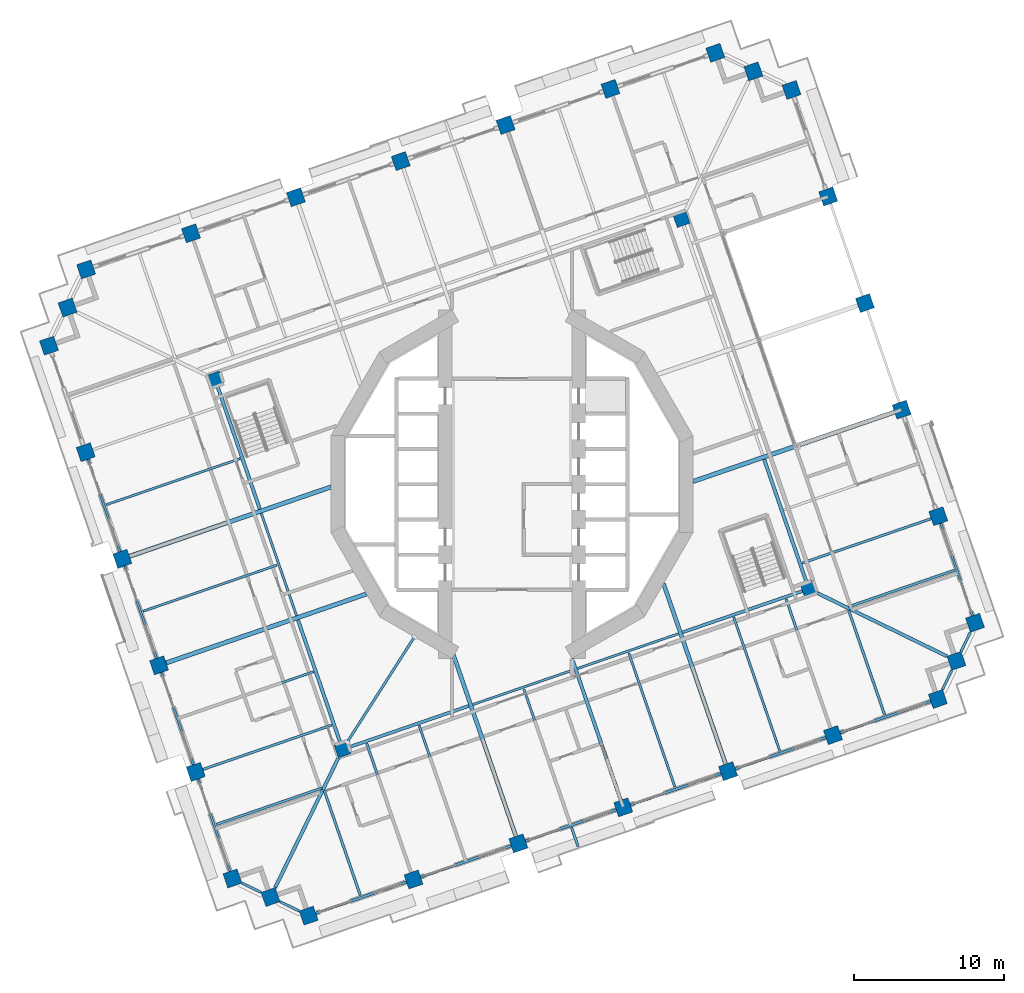
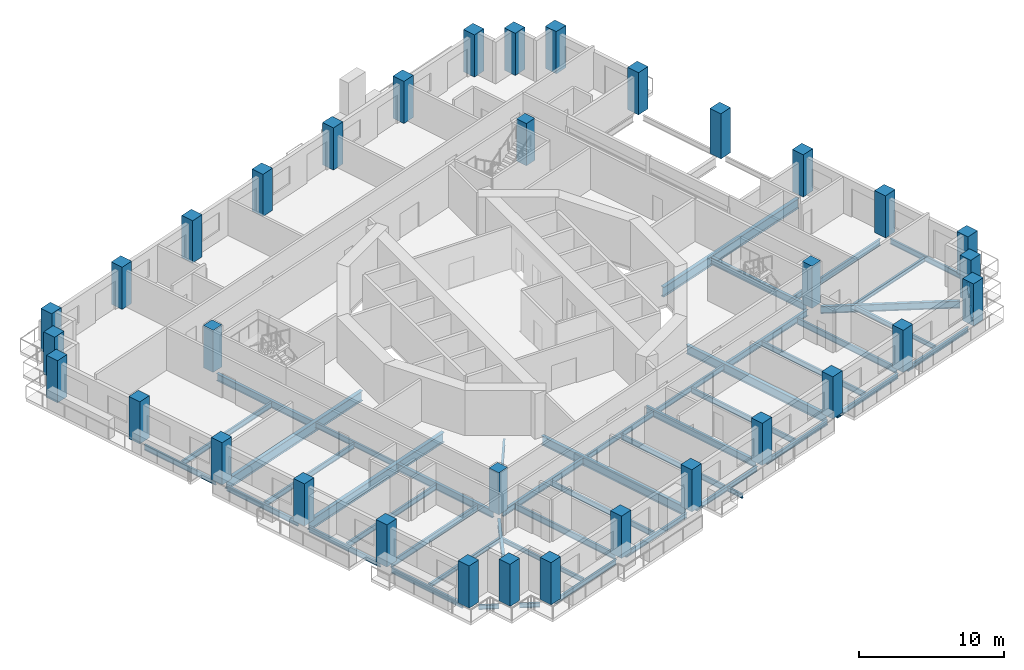
# One storey, part 1 of 19: 48 beams, 34 columns.
"""IFC4 building model written with IfcOpenShell, lengths in metres."""

from ifc_helpers import new_model, si_unit, direction, frame, origin, origin_2d, place, context, subcontext, project, spatial, rectangle, i_section, extrude, material, material_profile, profile_set, type_object, element, save


model = new_model("IFC4")

# Units and contexts
model_context = context("Model", 3, precision=1e-05, world=origin(), true_north=direction((0.0, 1.0)))
body_context = subcontext(model_context, "Body", "Model", "MODEL_VIEW")
ifc_project = project(units=[si_unit("LENGTHUNIT", "METRE"), si_unit("AREAUNIT", "SQUARE_METRE"), si_unit("VOLUMEUNIT", "CUBIC_METRE"), si_unit("PLANEANGLEUNIT", "RADIAN"), si_unit("MASSUNIT", "GRAM", prefix="KILO")], contexts=[model_context])

# Site, building, storey
site_placement = place(None, origin())
site = spatial("IfcSite", under=ifc_project, at=site_placement, CompositionType="ELEMENT")
building_placement = place(site_placement, origin())
building = spatial("IfcBuilding", under=site, at=building_placement, Name="Cantera Rosa Tower", CompositionType="ELEMENT")
storey_placement = place(building_placement, frame((0.0, 0.0, 126.89990234375)))
storey = spatial("IfcBuildingStorey", under=building, at=storey_placement, Name="L26", CompositionType="ELEMENT", Elevation=126.89990234375)

# Columns
ifc_material_1 = material(Name="Concrete C70/85", Category="concrete")
ifc_material_profile_1 = material_profile(ifc_material_1, rectangle(XDim=1.0, YDim=1.0, at=origin_2d()), Name="RC COLUMN RC1000X1000 C70/85")
ifc_profile_set_1 = profile_set([ifc_material_profile_1], Name="Concrete C70/85")
column_type_1 = type_object("IfcColumnType", Name="RC COLUMN RC1000X1000 C70/85", PredefinedType="COLUMN", material=ifc_profile_set_1)
for number, where, z_axis, x_axis, name in (
    (1, (30.893310546875, -9.245849609375, 0.0), (0.0, 0.0, 1.0), (0.945518575599, 0.325568154457, 0.0), "C-Z2-01 L26"),
    (2, (28.445068359375, -2.135498046875, 0.0), (0.0, 0.0, 1.0), (0.945518575599, 0.325568154457, 0.0), "C-Z2-02 L26"),
    (3, (25.996826171875, 4.974853515625, 0.0), (0.0, 0.0, 1.0), (0.945518575599, 0.325568154457, 0.0), "C-Z2-03 L26"),
):
    element("IfcColumn", number, at=place(storey_placement, frame(where, z_axis=z_axis, x_axis=x_axis)), inside=storey, type_object=column_type_1, Name=name, PredefinedType="COLUMN", context=body_context, shape_type="SweptSolid", body=[
        extrude(rectangle(XDim=1.0, YDim=1.0, at=origin_2d()), origin(), (0.0, 0.0, 1.0), 3.550048828125),
    ])
column_placement = place(storey_placement, frame((23.54833984375, 12.0849609375, -0.25), z_axis=(0.0, 0.0, 1.0), x_axis=(0.945518575599, 0.325568154457, 0.0)))
element("IfcColumn", 4, at=column_placement, inside=storey, type_object=column_type_1, Name="C-Z2-04 L26", PredefinedType="COLUMN", context=body_context, shape_type="SweptSolid", body=[
    extrude(rectangle(XDim=1.0, YDim=1.0, at=origin_2d()), origin(), (0.0, 0.0, 1.0), 3.800048828125),
])
for number, where, z_axis, x_axis, name in (
    (5, (21.10009765625, 19.1953125, 0.0), (0.0, 0.0, 1.0), (0.945518575599, 0.325568154457, 0.0), "C-Z2-05 L26"),
    (6, (18.65185546875, 26.3056640625, 0.0), (0.0, 0.0, 1.0), (0.945518575599, 0.325568154457, 0.0), "C-Z2-06 L26"),
    (7, (16.109619140625, 27.545654296875, 0.0), (0.0, 0.0, 1.0), (0.945518575599, 0.325568154457, 0.0), "C-Z2-07 L26"),
    (8, (13.567626953125, 28.785400390625, 0.0), (0.0, 0.0, 1.0), (0.945518575599, 0.325568154457, 0.0), "C-Z2-08 L26"),
    (9, (6.57080078125, 26.376220703125, 0.0), (0.0, 0.0, 1.0), (0.945518575599, 0.325568154457, 0.0), "C-Z2-09 L26"),
    (10, (-0.426025390625, 23.967041015625, 0.0), (0.0, 0.0, 1.0), (0.945518575599, 0.325568154457, 0.0), "C-Z2-10 L26"),
    (11, (-7.4228515625, 21.557861328125, 0.0), (0.0, 0.0, 1.0), (0.945518575599, 0.325568154457, 0.0), "C-Z2-11 L26"),
    (12, (-14.419677734375, 19.148681640625, 0.0), (0.0, 0.0, 1.0), (0.945518575599, 0.325568154457, 0.0), "C-Z2-12 L26"),
    (13, (-21.416748046875, 16.739501953125, 0.0), (0.0, 0.0, 1.0), (0.945518575599, 0.325568154457, 0.0), "C-Z2-13 L26"),
    (14, (-28.41357421875, 14.330322265625, 0.0), (0.0, 0.0, 1.0), (0.945518575599, 0.325568154457, 0.0), "C-Z2-14 L26"),
    (15, (-29.6533203125, 11.7880859375, 0.0), (0.0, 0.0, 1.0), (0.945518575599, 0.325568154457, 0.0), "C-Z2-15 L26"),
    (16, (-30.893310546875, 9.245849609375, 0.0), (0.0, 0.0, 1.0), (0.945518575599, 0.325568154457, 0.0), "C-Z2-16 L26"),
    (17, (-28.445068359375, 2.135498046875, 0.0), (0.0, 0.0, 1.0), (0.945518575599, 0.325568154457, 0.0), "C-Z2-17 L26"),
    (18, (-25.996826171875, -4.974853515625, 0.0), (0.0, 0.0, 1.0), (0.945518575599, 0.325568154457, 0.0), "C-Z2-18 L26"),
    (19, (-23.54833984375, -12.0849609375, 0.0), (0.0, 0.0, 1.0), (0.945518575599, 0.325568154457, 0.0), "C-Z2-19 L26"),
    (20, (-21.10009765625, -19.1953125, 0.0), (0.0, 0.0, 1.0), (0.945518575599, 0.325568154457, 0.0), "C-Z2-20 L26"),
    (21, (-18.65185546875, -26.3056640625, 0.0), (0.0, 0.0, 1.0), (0.945518575599, 0.325568154457, 0.0), "C-Z2-21 L26"),
    (22, (-16.109619140625, -27.545654296875, 0.0), (0.0, 0.0, 1.0), (0.945518575599, 0.325568154457, 0.0), "C-Z2-22 L26"),
    (23, (-13.567626953125, -28.785400390625, 0.0), (0.0, 0.0, 1.0), (0.945518575599, 0.325568154457, 0.0), "C-Z2-23 L26"),
    (24, (-6.57080078125, -26.376220703125, 0.0), (0.0, 0.0, 1.0), (0.945518575599, 0.325568154457, 0.0), "C-Z2-24 L26"),
    (25, (0.426025390625, -23.967041015625, 0.0), (0.0, 0.0, 1.0), (0.945518575599, 0.325568154457, 0.0), "C-Z2-25 L26"),
    (26, (7.4228515625, -21.557861328125, 0.0), (0.0, 0.0, 1.0), (0.945518575599, 0.325568154457, 0.0), "C-Z2-26 L26"),
    (27, (14.419677734375, -19.148681640625, 0.0), (0.0, 0.0, 1.0), (0.945518575599, 0.325568154457, 0.0), "C-Z2-27 L26"),
    (28, (21.416748046875, -16.739501953125, 0.0), (0.0, 0.0, 1.0), (0.945518575599, 0.325568154457, 0.0), "C-Z2-28 L26"),
    (29, (28.41357421875, -14.330322265625, 0.0), (0.0, 0.0, 1.0), (0.945518575599, 0.325568154457, 0.0), "C-Z2-29 L26"),
    (30, (29.6533203125, -11.7880859375, 0.0), (0.0, 0.0, 1.0), (0.945518575599, 0.325568154457, 0.0), "C-Z2-30 L26"),
):
    element("IfcColumn", number, at=place(storey_placement, frame(where, z_axis=z_axis, x_axis=x_axis)), inside=storey, type_object=column_type_1, Name=name, PredefinedType="COLUMN", context=body_context, shape_type="SweptSolid", body=[
        extrude(rectangle(XDim=1.0, YDim=1.0, at=origin_2d()), origin(), (0.0, 0.0, 1.0), 3.550048828125),
    ])
ifc_material_2 = material(Name="Concrete C70/85", Category="concrete")
ifc_material_profile_2 = material_profile(ifc_material_2, rectangle(XDim=0.89990234375, YDim=0.89990234375, at=origin_2d()), Name="RC RING COLUMN RC900X900 C70/85")
ifc_profile_set_2 = profile_set([ifc_material_profile_2], Name="Concrete C70/85")
column_type_2 = type_object("IfcColumnType", Name="RC RING COLUMN RC900X900 C70/85", PredefinedType="COLUMN", material=ifc_profile_set_2)
for number, where, z_axis, x_axis, name in (
    (31, (11.30517578125, 17.694580078125, 0.0), (0.0, 0.0, 1.0), (0.945518575599, 0.325568154457, 0.0), "CI-Z2-1 L26"),
    (32, (-19.802490234375, 6.9833984375, 0.0), (0.0, 0.0, 1.0), (0.945518575599, 0.325568154457, 0.0), "CI-Z2-2 L26"),
    (33, (-11.30517578125, -17.694580078125, 0.0), (0.0, 0.0, 1.0), (0.945518575599, 0.325568154457, 0.0), "CI-Z2-3 L26"),
    (34, (19.802490234375, -6.9833984375, 0.0), (0.0, 0.0, 1.0), (0.945518575599, 0.325568154457, 0.0), "CI-Z2-4 L26"),
):
    element("IfcColumn", number, at=place(storey_placement, frame(where, z_axis=z_axis, x_axis=x_axis)), inside=storey, type_object=column_type_2, Name=name, PredefinedType="COLUMN", context=body_context, shape_type="SweptSolid", body=[
        extrude(rectangle(XDim=0.89990234375, YDim=0.89990234375, at=origin_2d()), origin(), (0.0, 0.0, 1.0), 3.550048828125),
    ])

# Beams
ifc_material_3 = material(Name="Steel ASTM A992 (Fy 345 MPa)", Category="steel")
ifc_material_profile_3 = material_profile(ifc_material_3, i_section(OverallWidth=0.154052734375, OverallDepth=0.4599609375, WebThickness=0.009033203125, FlangeThickness=0.015380859375, FilletRadius=0.01025390625, at=origin_2d()), Name="W460X68")
ifc_profile_set_3 = profile_set([ifc_material_profile_3], Name="Steel ASTM A992 (Fy 345 MPa)")
beam_type_1 = type_object("IfcBeamType", Name="STEEL BEAM W460X68", PredefinedType="BEAM", material=ifc_profile_set_3)
for number, where, z_axis, x_axis, name in (
    (35, (-2.6064453125, -14.699462890625, -0.47998046875), (0.9455219702, 0.325558295653, 0.0), (-0.325558295653, 0.9455219702, 0.0), "RB-Z2-06 L26"),
    (36, (4.390380859375, -12.290283203125, -0.47998046875), (0.9455219702, 0.325558295653, 0.0), (-0.325558295653, 0.9455219702, 0.0), "RB-Z2-07 L26"),
):
    element("IfcBeam", number, at=place(storey_placement, frame(where, z_axis=z_axis, x_axis=x_axis)), inside=storey, type_object=beam_type_1, Name=name, PredefinedType="BEAM", context=body_context, shape_type="SweptSolid", body=[
        extrude(i_section(OverallWidth=0.154052734375, OverallDepth=0.4599609375, WebThickness=0.009033203125, FlangeThickness=0.015380859375, FilletRadius=0.01025390625, at=origin_2d()), origin(), (0.0, 0.0, 1.0), 7.10009765625),
    ])
beam_1_placement = place(storey_placement, frame((-14.37841796875, -8.768798828125, -0.47998046875), z_axis=(-0.325575881702, 0.94551591486, 0.0), x_axis=(-0.94551591486, -0.325575881702, 0.0)))
element("IfcBeam", 37, at=beam_1_placement, inside=storey, type_object=beam_type_1, Name="RB-Z2-13 L26", PredefinedType="BEAM", context=body_context, shape_type="SweptSolid", body=[
    extrude(i_section(OverallWidth=0.154052734375, OverallDepth=0.4599609375, WebThickness=0.009033203125, FlangeThickness=0.015380859375, FilletRadius=0.01025390625, at=origin_2d()), origin(), (0.0, 0.0, 1.0), 7.2197265625),
])
ifc_material_4 = material(Name="Steel ASTM A992 (Fy 345 MPa)", Category="steel")
ifc_material_profile_4 = material_profile(ifc_material_4, i_section(OverallWidth=0.166015625, OverallDepth=0.528076171875, WebThickness=0.009765625, FlangeThickness=0.013671875, FilletRadius=0.0126953125, at=origin_2d()), Name="W530X74")
ifc_profile_set_4 = profile_set([ifc_material_profile_4], Name="Steel ASTM A992 (Fy 345 MPa)")
beam_type_2 = type_object("IfcBeamType", Name="STEEL BEAM W530X74", PredefinedType="BEAM", material=ifc_profile_set_4)
for number, where, z_axis, x_axis, name in (
    (38, (27.97216796875, -2.29833984375, -0.513916015625), (-0.94551971591, -0.325564842737, 0.0), (0.325564842737, -0.94551971591, 0.0), "G-Z2-01 L26"),
    (39, (-6.7333984375, -25.903564453125, -0.513916015625), (-0.325588827377, 0.945511457089, 0.0), (-0.945511457089, -0.325588827377, 0.0), "G-Z2-10 L26"),
    (40, (21.25390625, -16.2666015625, -0.513916015625), (-0.325564842737, 0.94551971591, 0.0), (-0.94551971591, -0.325564842737, 0.0), "G-Z2-14 L26"),
    (41, (-20.62744140625, -19.032470703125, -0.513916015625), (0.94551971591, 0.325564842737, 0.0), (-0.325564842737, 0.94551971591, 0.0), "G-Z2-18 L26"),
):
    element("IfcBeam", number, at=place(storey_placement, frame(where, z_axis=z_axis, x_axis=x_axis)), inside=storey, type_object=beam_type_2, Name=name, PredefinedType="BEAM", context=body_context, shape_type="SweptSolid", body=[
        extrude(i_section(OverallWidth=0.166015625, OverallDepth=0.528076171875, WebThickness=0.009765625, FlangeThickness=0.013671875, FilletRadius=0.0126953125, at=origin_2d()), origin(), (0.0, 0.0, 1.0), 9.10009765625),
    ])
beam_2_placement = place(storey_placement, frame((-10.995849609375, -17.21044921875, -0.513916015625), z_axis=(0.538396209095, 0.842691830999, 0.0), x_axis=(-0.842691830999, 0.538396209095, 0.0)))
element("IfcBeam", 42, at=beam_2_placement, inside=storey, type_object=beam_type_2, Name="PG-Z2-01 L26", PredefinedType="BEAM", context=body_context, shape_type="SweptSolid", body=[
    extrude(i_section(OverallWidth=0.166015625, OverallDepth=0.528076171875, WebThickness=0.009765625, FlangeThickness=0.013671875, FilletRadius=0.0126953125, at=origin_2d()), origin(), (0.0, 0.0, 1.0), 8.3369140625),
])
ifc_material_5 = material(Name="Steel ASTM A992 (Fy 345 MPa)", Category="steel")
ifc_material_profile_5 = material_profile(ifc_material_5, i_section(OverallWidth=0.208984375, OverallDepth=0.532958984375, WebThickness=0.01025390625, FlangeThickness=0.015625, FilletRadius=0.0126953125, at=origin_2d()), Name="W530X92")
ifc_profile_set_5 = profile_set([ifc_material_profile_5], Name="Steel ASTM A992 (Fy 345 MPa)")
beam_type_3 = type_object("IfcBeamType", Name="STEEL BEAM W530X92", PredefinedType="BEAM", material=ifc_profile_set_5)
beam_3_placement = place(storey_placement, frame((-10.879638671875, -17.548095703125, -0.516357421875), z_axis=(0.945522715377, 0.325556131421, 0.0), x_axis=(-0.325556131421, 0.945522715377, 0.0)))
element("IfcBeam", 43, at=beam_3_placement, inside=storey, type_object=beam_type_3, Name="RB-Z2-05 L26", PredefinedType="BEAM", context=body_context, shape_type="SweptSolid", body=[
    extrude(i_section(OverallWidth=0.208984375, OverallDepth=0.532958984375, WebThickness=0.01025390625, FlangeThickness=0.015625, FilletRadius=0.0126953125, at=origin_2d()), origin(), (0.0, 0.0, 1.0), 8.4501953125),
])
beam_4_placement = place(storey_placement, frame((11.387451171875, -9.880859375, -0.516357421875), z_axis=(0.945519653071, 0.325565025235, 0.0), x_axis=(-0.325565025235, 0.945519653071, 0.0)))
element("IfcBeam", 44, at=beam_4_placement, inside=storey, type_object=beam_type_3, Name="RB-Z2-08 L26", PredefinedType="BEAM", context=body_context, shape_type="SweptSolid", body=[
    extrude(i_section(OverallWidth=0.208984375, OverallDepth=0.532958984375, WebThickness=0.01025390625, FlangeThickness=0.015625, FilletRadius=0.0126953125, at=origin_2d()), origin(), (0.0, 0.0, 1.0), 8.449951171875),
])
ifc_material_6 = material(Name="Steel ASTM A992 (Fy 345 MPa)", Category="steel")
ifc_material_profile_6 = material_profile(ifc_material_6, i_section(OverallWidth=0.22802734375, OverallDepth=0.60205078125, WebThickness=0.010498046875, FlangeThickness=0.014892578125, FilletRadius=0.0126953125, at=origin_2d()), Name="W610X101")
ifc_profile_set_6 = profile_set([ifc_material_profile_6], Name="Steel ASTM A992 (Fy 345 MPa)")
beam_type_4 = type_object("IfcBeamType", Name="STEEL BEAM W610X101", PredefinedType="BEAM", material=ifc_profile_set_6)
beam_5_placement = place(storey_placement, frame((-15.7998046875, -26.909912109375, -0.55078125), z_axis=(0.438387618569, 0.898786012288, 0.0), x_axis=(-0.898786012288, 0.438387618569, 0.0)))
element("IfcBeam", 45, at=beam_5_placement, inside=storey, type_object=beam_type_4, Name="CB-Z2-03 L26", PredefinedType="BEAM", context=body_context, shape_type="SweptSolid", body=[
    extrude(i_section(OverallWidth=0.22802734375, OverallDepth=0.60205078125, WebThickness=0.010498046875, FlangeThickness=0.014892578125, FilletRadius=0.0126953125, at=origin_2d()), origin(), (0.0, 0.0, 1.0), 9.61669921875),
])
beam_6_placement = place(storey_placement, frame((29.017822265625, -11.47802734375, -0.55078125), z_axis=(-0.898796015179, 0.438367109965, 0.0), x_axis=(-0.438367109965, -0.898796015179, 0.0)))
element("IfcBeam", 46, at=beam_6_placement, inside=storey, type_object=beam_type_4, Name="CB-Z2-04 L26", PredefinedType="BEAM", context=body_context, shape_type="SweptSolid", body=[
    extrude(i_section(OverallWidth=0.22802734375, OverallDepth=0.60205078125, WebThickness=0.010498046875, FlangeThickness=0.014892578125, FilletRadius=0.0126953125, at=origin_2d()), origin(), (0.0, 0.0, 1.0), 9.616455078125),
])
beam_7_placement = place(storey_placement, frame((7.26025390625, -21.0849609375, -0.55078125), z_axis=(-0.325587365823, 0.945511960377, 0.0), x_axis=(-0.945511960377, -0.325587365823, 0.0)))
element("IfcBeam", 47, at=beam_7_placement, inside=storey, type_object=beam_type_4, Name="G-Z2-12 L26", PredefinedType="BEAM", context=body_context, shape_type="SweptSolid", body=[
    extrude(i_section(OverallWidth=0.22802734375, OverallDepth=0.60205078125, WebThickness=0.010498046875, FlangeThickness=0.014892578125, FilletRadius=0.0126953125, at=origin_2d()), origin(), (0.0, 0.0, 1.0), 10.0),
])
for number, where, z_axis, x_axis, name in (
    (48, (19.656005859375, -6.557861328125, -0.55078125), (-0.325584584945, 0.945512917969, 0.0), (-0.945512917969, -0.325584584945, 0.0), "RB-Z2-09 L26"),
    (49, (-11.45166015625, -17.26904296875, -0.55078125), (-0.325559468466, 0.945521566381, 0.0), (-0.945521566381, -0.325559468466, 0.0), "RB-Z2-12 L26"),
    (50, (-16.82666015625, -1.65869140625, -0.55078125), (-0.325584584945, 0.945512917969, 0.0), (-0.945512917969, -0.325584584945, 0.0), "RB-Z2-14 L26"),
):
    element("IfcBeam", number, at=place(storey_placement, frame(where, z_axis=z_axis, x_axis=x_axis)), inside=storey, type_object=beam_type_4, Name=name, PredefinedType="BEAM", context=body_context, shape_type="SweptSolid", body=[
        extrude(i_section(OverallWidth=0.22802734375, OverallDepth=0.60205078125, WebThickness=0.010498046875, FlangeThickness=0.014892578125, FilletRadius=0.0126953125, at=origin_2d()), origin(), (0.0, 0.0, 1.0), 8.68994140625),
    ])
ifc_material_7 = material(Name="Steel ASTM A992 (Fy 345 MPa)", Category="steel")
ifc_material_profile_7 = material_profile(ifc_material_7, i_section(OverallWidth=0.26708984375, OverallDepth=0.75390625, WebThickness=0.01318359375, FlangeThickness=0.01708984375, FilletRadius=0.0166015625, at=origin_2d()), Name="W760X147")
ifc_profile_set_7 = profile_set([ifc_material_profile_7], Name="Steel ASTM A992 (Fy 345 MPa)")
beam_type_5 = type_object("IfcBeamType", Name="STEEL BEAM W760X147", PredefinedType="BEAM", material=ifc_profile_set_7)
beam_8_placement = place(storey_placement, frame((0.263427734375, -23.494384765625, -0.626953125), z_axis=(-0.325569500581, 0.945518112091, 0.0), x_axis=(-0.945518112091, -0.325569500581, 0.0)))
element("IfcBeam", 51, at=beam_8_placement, inside=storey, type_object=beam_type_5, Name="G-Z2-11 L26", PredefinedType="BEAM", context=body_context, shape_type="SweptSolid", body=[
    extrude(i_section(OverallWidth=0.26708984375, OverallDepth=0.75390625, WebThickness=0.01318359375, FlangeThickness=0.01708984375, FilletRadius=0.0166015625, at=origin_2d()), origin(), (0.0, 0.0, 1.0), 13.09521484375),
])
beam_9_placement = place(storey_placement, frame((14.257080078125, -18.67578125, -0.626953125), z_axis=(-0.325575880476, 0.945515915282, 0.0), x_axis=(-0.945515915282, -0.325575880476, 0.0)))
element("IfcBeam", 52, at=beam_9_placement, inside=storey, type_object=beam_type_5, Name="G-Z2-13 L26", PredefinedType="BEAM", context=body_context, shape_type="SweptSolid", body=[
    extrude(i_section(OverallWidth=0.26708984375, OverallDepth=0.75390625, WebThickness=0.01318359375, FlangeThickness=0.01708984375, FilletRadius=0.0166015625, at=origin_2d()), origin(), (0.0, 0.0, 1.0), 12.734375),
])
ifc_material_8 = material(Name="Steel ASTM A992 (Fy 345 MPa)", Category="steel")
ifc_material_profile_8 = material_profile(ifc_material_8, i_section(OverallWidth=0.2919921875, OverallDepth=0.8359375, WebThickness=0.013916015625, FlangeThickness=0.018798828125, FilletRadius=0.017822265625, at=origin_2d()), Name="W840X176")
ifc_profile_set_8 = profile_set([ifc_material_profile_8], Name="Steel ASTM A992 (Fy 345 MPa)")
beam_type_6 = type_object("IfcBeamType", Name="STEEL BEAM W840X176", PredefinedType="BEAM", material=ifc_profile_set_8)
for number, where, z_axis, x_axis, name in (
    (53, (25.52392578125, 4.81201171875, -0.66796875), (-0.945515154884, -0.325578088765, 0.0), (0.325578088765, -0.945515154884, 0.0), "G-Z2-02 L26"),
    (54, (-25.52392578125, -4.81201171875, -0.66796875), (0.945515154884, 0.325578088765, 0.0), (-0.325578088765, 0.945515154884, 0.0), "G-Z2-16 L26"),
):
    element("IfcBeam", number, at=place(storey_placement, frame(where, z_axis=z_axis, x_axis=x_axis)), inside=storey, type_object=beam_type_6, Name=name, PredefinedType="BEAM", context=body_context, shape_type="SweptSolid", body=[
        extrude(i_section(OverallWidth=0.2919921875, OverallDepth=0.8359375, WebThickness=0.013916015625, FlangeThickness=0.018798828125, FilletRadius=0.017822265625, at=origin_2d()), origin(), (0.0, 0.0, 1.0), 14.22509765625),
    ])
beam_10_placement = place(storey_placement, frame((-23.07568359375, -11.92236328125, -0.66796875), z_axis=(0.945516836256, 0.325573205833, 0.0), x_axis=(-0.325573205833, 0.945516836256, 0.0)))
element("IfcBeam", 55, at=beam_10_placement, inside=storey, type_object=beam_type_6, Name="G-Z2-17 L26", PredefinedType="BEAM", context=body_context, shape_type="SweptSolid", body=[
    extrude(i_section(OverallWidth=0.2919921875, OverallDepth=0.8359375, WebThickness=0.013916015625, FlangeThickness=0.018798828125, FilletRadius=0.017822265625, at=origin_2d()), origin(), (0.0, 0.0, 1.0), 14.130615234375),
])
ifc_material_9 = material(Name="Steel ASTM A992 (Fy 345 MPa)", Category="steel")
ifc_material_profile_9 = material_profile(ifc_material_9, i_section(OverallWidth=0.1708984375, OverallDepth=0.35595703125, WebThickness=0.00732421875, FlangeThickness=0.01171875, FilletRadius=0.010009765625, at=origin_2d()), Name="W360X51")
ifc_profile_set_9 = profile_set([ifc_material_profile_9], Name="Steel ASTM A992 (Fy 345 MPa)")
beam_type_7 = type_object("IfcBeamType", Name="STEEL JOIST W360X51", PredefinedType="JOIST", material=ifc_profile_set_9)
beam_11_placement = place(storey_placement, frame((29.52734375, -5.739501953125, -0.427978515625), z_axis=(-0.945521732807, -0.325558985116, 0.0), x_axis=(0.325558985116, -0.945521732807, 0.0)))
element("IfcBeam", 56, at=beam_11_placement, inside=storey, type_object=beam_type_7, Name="B-Z2-01 L26", PredefinedType="JOIST", context=body_context, shape_type="SweptSolid", body=[
    extrude(i_section(OverallWidth=0.1708984375, OverallDepth=0.35595703125, WebThickness=0.00732421875, FlangeThickness=0.01171875, FilletRadius=0.010009765625, at=origin_2d()), origin(), (0.0, 0.0, 1.0), 7.460205078125),
])
for number, where, z_axis, x_axis, name in (
    (57, (-10.117919921875, -27.43896484375, -0.427978515625), (-0.325565645331, 0.945519439557, 0.0), (-0.945519439557, -0.325565645331, 0.0), "B-Z2-12 L26"),
    (58, (24.8662109375, -15.39306640625, -0.427978515625), (-0.325565645331, 0.945519439557, 0.0), (-0.945519439557, -0.325565645331, 0.0), "B-Z2-17 L26"),
):
    element("IfcBeam", number, at=place(storey_placement, frame(where, z_axis=z_axis, x_axis=x_axis)), inside=storey, type_object=beam_type_7, Name=name, PredefinedType="JOIST", context=body_context, shape_type="SweptSolid", body=[
        extrude(i_section(OverallWidth=0.1708984375, OverallDepth=0.35595703125, WebThickness=0.00732421875, FlangeThickness=0.01171875, FilletRadius=0.010009765625, at=origin_2d()), origin(), (0.0, 0.0, 1.0), 7.39990234375),
    ])
beam_12_placement = place(storey_placement, frame((-19.734130859375, -22.70166015625, -0.427978515625), z_axis=(0.945518264054, 0.32556905925, 0.0), x_axis=(-0.32556905925, 0.945518264054, 0.0)))
element("IfcBeam", 59, at=beam_12_placement, inside=storey, type_object=beam_type_7, Name="B-Z2-22 L26", PredefinedType="JOIST", context=body_context, shape_type="SweptSolid", body=[
    extrude(i_section(OverallWidth=0.1708984375, OverallDepth=0.35595703125, WebThickness=0.00732421875, FlangeThickness=0.01171875, FilletRadius=0.010009765625, at=origin_2d()), origin(), (0.0, 0.0, 1.0), 7.4599609375),
])
beam_13_placement = place(storey_placement, frame((3.966796875, -22.88525390625, -0.427978515625), z_axis=(0.325633232833, -0.945496164812, 0.0), x_axis=(0.945496164812, 0.325633232833, 0.0)))
element("IfcBeam", 60, at=beam_13_placement, inside=storey, type_object=beam_type_7, Name="BS-Z2-15 L26", PredefinedType="JOIST", context=body_context, shape_type="SweptSolid", body=[
    extrude(i_section(OverallWidth=0.1708984375, OverallDepth=0.35595703125, WebThickness=0.00732421875, FlangeThickness=0.01171875, FilletRadius=0.010009765625, at=origin_2d()), origin(), (0.0, 0.0, 1.0), 1.3681640625),
])
ifc_material_10 = material(Name="Steel ASTM A992 (Fy 345 MPa)", Category="steel")
ifc_material_profile_10 = material_profile(ifc_material_10, i_section(OverallWidth=0.154052734375, OverallDepth=0.4599609375, WebThickness=0.009033203125, FlangeThickness=0.015380859375, FilletRadius=0.01025390625, at=origin_2d()), Name="W460X68")
ifc_profile_set_10 = profile_set([ifc_material_profile_10], Name="Steel ASTM A992 (Fy 345 MPa)")
beam_type_8 = type_object("IfcBeamType", Name="STEEL JOIST W460X68", PredefinedType="JOIST", material=ifc_profile_set_10)
for number, where, z_axis, x_axis, name in (
    (61, (-3.12109375, -25.02978515625, -0.47998046875), (-0.325575037498, 0.94551620555, 0.0), (-0.94551620555, -0.325575037498, 0.0), "B-Z2-13 L26"),
    (62, (3.875732421875, -22.62060546875, -0.47998046875), (-0.325575037498, 0.94551620555, 0.0), (-0.94551620555, -0.325575037498, 0.0), "B-Z2-14 L26"),
):
    element("IfcBeam", number, at=place(storey_placement, frame(where, z_axis=z_axis, x_axis=x_axis)), inside=storey, type_object=beam_type_8, Name=name, PredefinedType="JOIST", context=body_context, shape_type="SweptSolid", body=[
        extrude(i_section(OverallWidth=0.154052734375, OverallDepth=0.4599609375, WebThickness=0.009033203125, FlangeThickness=0.015380859375, FilletRadius=0.01025390625, at=origin_2d()), origin(), (0.0, 0.0, 1.0), 9.449951171875),
    ])
for number, where, z_axis, x_axis, name in (
    (63, (10.87255859375, -20.21142578125, -0.47998046875), (-0.325567084667, 0.945518943957, 0.0), (-0.945518943957, -0.325567084667, 0.0), "B-Z2-15 L26"),
    (64, (17.869384765625, -17.80224609375, -0.47998046875), (-0.325567084667, 0.945518943957, 0.0), (-0.945518943957, -0.325567084667, 0.0), "B-Z2-16 L26"),
    (65, (-27.0791015625, -1.370849609375, -0.47998046875), (0.945518943957, 0.325567084667, 0.0), (-0.325567084667, 0.945518943957, 0.0), "B-Z2-19 L26"),
    (66, (-24.630859375, -8.48095703125, -0.47998046875), (0.945526896389, 0.325543988125, 0.0), (-0.325543988125, 0.945526896389, 0.0), "B-Z2-20 L26"),
):
    element("IfcBeam", number, at=place(storey_placement, frame(where, z_axis=z_axis, x_axis=x_axis)), inside=storey, type_object=beam_type_8, Name=name, PredefinedType="JOIST", context=body_context, shape_type="SweptSolid", body=[
        extrude(i_section(OverallWidth=0.154052734375, OverallDepth=0.4599609375, WebThickness=0.009033203125, FlangeThickness=0.015380859375, FilletRadius=0.01025390625, at=origin_2d()), origin(), (0.0, 0.0, 1.0), 9.4501953125),
    ])
beam_14_placement = place(storey_placement, frame((-22.182373046875, -15.59130859375, -0.47998046875), z_axis=(0.94551620555, 0.325575037498, 0.0), x_axis=(-0.325575037498, 0.94551620555, 0.0)))
element("IfcBeam", 67, at=beam_14_placement, inside=storey, type_object=beam_type_8, Name="B-Z2-21 L26", PredefinedType="JOIST", context=body_context, shape_type="SweptSolid", body=[
    extrude(i_section(OverallWidth=0.154052734375, OverallDepth=0.4599609375, WebThickness=0.009033203125, FlangeThickness=0.015380859375, FilletRadius=0.01025390625, at=origin_2d()), origin(), (0.0, 0.0, 1.0), 9.449951171875),
])
ifc_material_11 = material(Name="Steel ASTM A992 (Fy 345 MPa)", Category="steel")
ifc_material_profile_11 = material_profile(ifc_material_11, i_section(OverallWidth=0.1708984375, OverallDepth=0.35595703125, WebThickness=0.00732421875, FlangeThickness=0.01171875, FilletRadius=0.010009765625, at=origin_2d()), Name="W360X51")
ifc_profile_set_11 = profile_set([ifc_material_profile_11], Name="Steel ASTM A992 (Fy 345 MPa)")
beam_type_9 = type_object("IfcBeamType", Name="STEEL SPANDREL BEAM W360X51", PredefinedType="SPANDREL", material=ifc_profile_set_11)
for number, where, z_axis, x_axis, name in (
    (68, (-18.016357421875, -26.61572265625, -0.427978515625), (0.898803287583, -0.438352198842, 0.0), (0.438352198842, 0.898803287583, 0.0), "EB-Z2-21 L26"),
    (69, (-15.47412109375, -27.85546875, -0.427978515625), (0.898803287583, -0.438352198842, 0.0), (0.438352198842, 0.898803287583, 0.0), "EB-Z2-22 L26"),
):
    element("IfcBeam", number, at=place(storey_placement, frame(where, z_axis=z_axis, x_axis=x_axis)), inside=storey, type_object=beam_type_9, Name=name, PredefinedType="SPANDREL", context=body_context, shape_type="SweptSolid", body=[
        extrude(i_section(OverallWidth=0.1708984375, OverallDepth=0.35595703125, WebThickness=0.00732421875, FlangeThickness=0.01171875, FilletRadius=0.010009765625, at=origin_2d()), origin(), (0.0, 0.0, 1.0), 1.4140625),
    ])
for number, where, z_axis, x_axis, name in (
    (70, (28.723388671875, -13.694580078125, -0.427978515625), (0.438491655897, 0.898735260079, 0.0), (-0.898735260079, 0.438491655897, 0.0), "EB-Z2-29 L26"),
    (71, (29.96337890625, -11.152587890625, -0.427978515625), (0.438284186308, 0.898836454552, 0.0), (-0.898836454552, 0.438284186308, 0.0), "EB-Z2-30 L26"),
):
    element("IfcBeam", number, at=place(storey_placement, frame(where, z_axis=z_axis, x_axis=x_axis)), inside=storey, type_object=beam_type_9, Name=name, PredefinedType="SPANDREL", context=body_context, shape_type="SweptSolid", body=[
        extrude(i_section(OverallWidth=0.1708984375, OverallDepth=0.35595703125, WebThickness=0.00732421875, FlangeThickness=0.01171875, FilletRadius=0.010009765625, at=origin_2d()), origin(), (0.0, 0.0, 1.0), 1.414306640625),
    ])
ifc_material_12 = material(Name="Steel ASTM A992 (Fy 345 MPa)", Category="steel")
ifc_material_profile_12 = material_profile(ifc_material_12, i_section(OverallWidth=0.177978515625, OverallDepth=0.406005859375, WebThickness=0.0078125, FlangeThickness=0.0126953125, FilletRadius=0.01025390625, at=origin_2d()), Name="W410X60")
ifc_profile_set_12 = profile_set([ifc_material_profile_12], Name="Steel ASTM A992 (Fy 345 MPa)")
beam_type_10 = type_object("IfcBeamType", Name="STEEL SPANDREL BEAM W410X60", PredefinedType="SPANDREL", material=ifc_profile_set_12)
for number, where, z_axis, x_axis, name in (
    (72, (-13.0947265625, -28.62255859375, -0.452880859375), (0.945524496524, 0.325550958337, 0.0), (-0.325550958337, 0.945524496524, 0.0), "EB-Z2-23 L26"),
    (73, (-6.097900390625, -26.21337890625, -0.452880859375), (0.945524496524, 0.325550958337, 0.0), (-0.325550958337, 0.945524496524, 0.0), "EB-Z2-24 L26"),
    (74, (0.89892578125, -23.80419921875, -0.452880859375), (0.945524496524, 0.325550958337, 0.0), (-0.325550958337, 0.945524496524, 0.0), "EB-Z2-25 L26"),
    (75, (7.895751953125, -21.39501953125, -0.452880859375), (0.945524496524, 0.325550958337, 0.0), (-0.325550958337, 0.945524496524, 0.0), "EB-Z2-26 L26"),
    (76, (14.892578125, -18.98583984375, -0.452880859375), (0.945512753621, 0.325585062219, 0.0), (-0.325585062219, 0.945512753621, 0.0), "EB-Z2-27 L26"),
    (77, (21.889404296875, -16.57666015625, -0.452880859375), (0.945512753621, 0.325585062219, 0.0), (-0.325585062219, 0.945512753621, 0.0), "EB-Z2-28 L26"),
):
    element("IfcBeam", number, at=place(storey_placement, frame(where, z_axis=z_axis, x_axis=x_axis)), inside=storey, type_object=beam_type_10, Name=name, PredefinedType="SPANDREL", context=body_context, shape_type="SweptSolid", body=[
        extrude(i_section(OverallWidth=0.177978515625, OverallDepth=0.406005859375, WebThickness=0.0078125, FlangeThickness=0.0126953125, FilletRadius=0.01025390625, at=origin_2d()), origin(), (0.0, 0.0, 1.0), 6.39990234375),
    ])
ifc_material_13 = material(Name="Steel ASTM A992 (Fy 345 MPa)", Category="steel")
ifc_material_profile_13 = material_profile(ifc_material_13, i_section(OverallWidth=0.154052734375, OverallDepth=0.4599609375, WebThickness=0.009033203125, FlangeThickness=0.015380859375, FilletRadius=0.01025390625, at=origin_2d()), Name="W460X68")
ifc_profile_set_13 = profile_set([ifc_material_profile_13], Name="Steel ASTM A992 (Fy 345 MPa)")
beam_type_11 = type_object("IfcBeamType", Name="STEEL SPANDREL BEAM W460X68", PredefinedType="SPANDREL", material=ifc_profile_set_13)
for number, where, z_axis, x_axis, name in (
    (78, (30.73046875, -8.773193359375, -0.47998046875), (-0.325580990241, 0.945514155787, 0.0), (-0.945514155787, -0.325580990241, 0.0), "EB-Z2-01 L26"),
    (79, (-28.2822265625, 1.662841796875, -0.47998046875), (0.325580990241, -0.945514155787, 0.0), (0.945514155787, 0.325580990241, 0.0), "EB-Z2-17 L26"),
    (80, (-25.833984375, -5.447509765625, -0.47998046875), (0.325580990241, -0.945514155787, 0.0), (0.945514155787, 0.325580990241, 0.0), "EB-Z2-18 L26"),
    (81, (-23.3857421875, -12.557861328125, -0.47998046875), (0.325580990241, -0.945514155787, 0.0), (0.945514155787, 0.325580990241, 0.0), "EB-Z2-19 L26"),
):
    element("IfcBeam", number, at=place(storey_placement, frame(where, z_axis=z_axis, x_axis=x_axis)), inside=storey, type_object=beam_type_11, Name=name, PredefinedType="SPANDREL", context=body_context, shape_type="SweptSolid", body=[
        extrude(i_section(OverallWidth=0.154052734375, OverallDepth=0.4599609375, WebThickness=0.009033203125, FlangeThickness=0.015380859375, FilletRadius=0.01025390625, at=origin_2d()), origin(), (0.0, 0.0, 1.0), 6.52001953125),
    ])
beam_15_placement = place(storey_placement, frame((-20.9375, -19.668212890625, -0.47998046875), z_axis=(0.325592517631, -0.945510186335, 0.0), x_axis=(0.945510186335, 0.325592517631, 0.0)))
element("IfcBeam", 82, at=beam_15_placement, inside=storey, type_object=beam_type_11, Name="EB-Z2-20 L26", PredefinedType="SPANDREL", context=body_context, shape_type="SweptSolid", body=[
    extrude(i_section(OverallWidth=0.154052734375, OverallDepth=0.4599609375, WebThickness=0.009033203125, FlangeThickness=0.015380859375, FilletRadius=0.01025390625, at=origin_2d()), origin(), (0.0, 0.0, 1.0), 6.519775390625),
])

save(model, "model.ifc")
